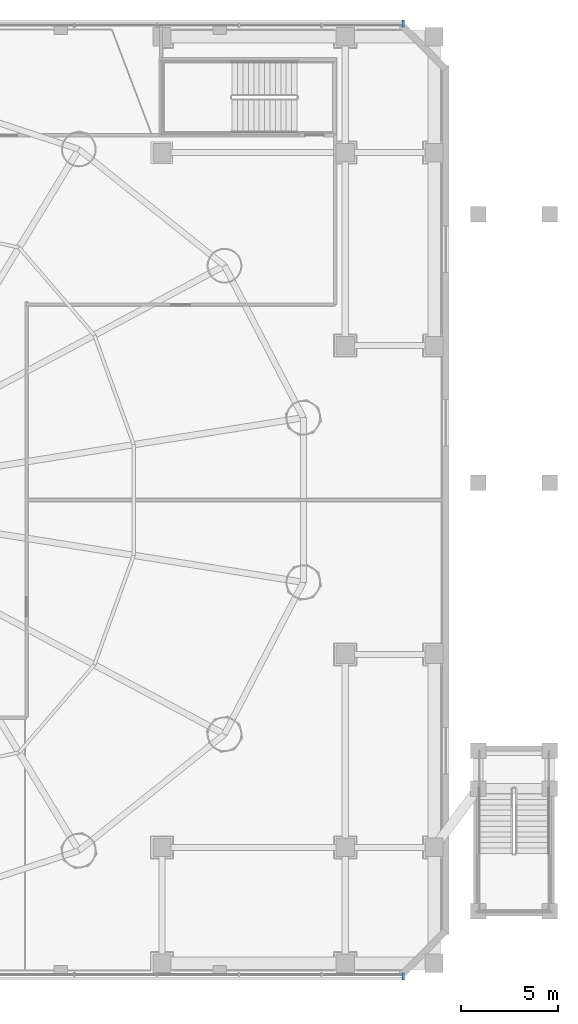
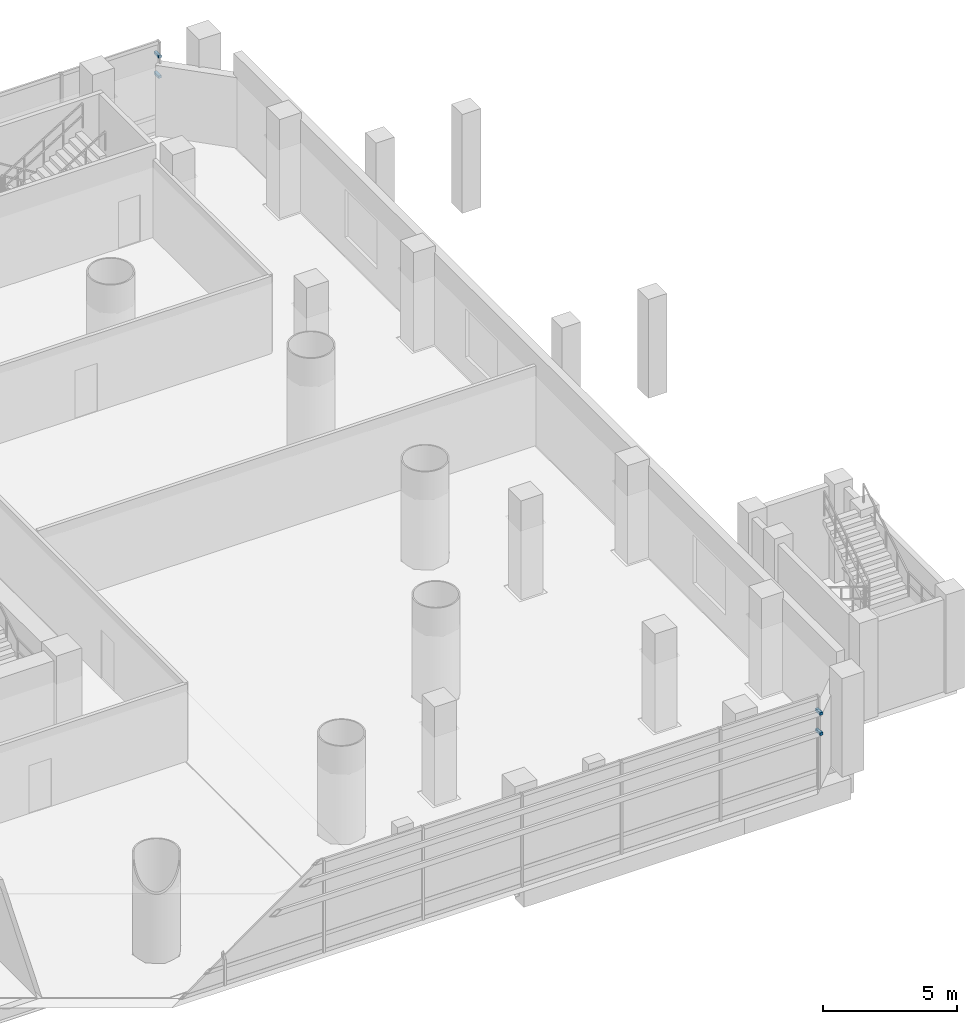
# One storey, part 26 of 36: 4 discrete accessories.
"""IFC4 building model written with IfcOpenShell, lengths in metres."""

from ifc_helpers import new_model, si_unit, direction, frame, origin, origin_2d, place, context, subcontext, project, spatial, rectangle, extrude, source, transform, mapped, material, layer, layer_set, type_object, element, save


model = new_model("IFC4")

# Units and contexts
model_context = context("Model", 3, precision=1e-05, world=origin(), true_north=direction((-0.2419218956, 0.970295726276)))
body_context = subcontext(model_context, "Body", "Model", "MODEL_VIEW")
ifc_project = project(units=[si_unit("LENGTHUNIT", "METRE"), si_unit("AREAUNIT", "SQUARE_METRE"), si_unit("VOLUMEUNIT", "CUBIC_METRE"), si_unit("PLANEANGLEUNIT", "RADIAN"), si_unit("MASSUNIT", "GRAM", prefix="KILO")], contexts=[model_context])

# Site, building, storey
site_placement = place(None, origin())
site = spatial("IfcSite", under=ifc_project, at=site_placement, CompositionType="ELEMENT")
building_placement = place(site_placement, origin())
building = spatial("IfcBuilding", under=site, at=building_placement, Name="Cobrevalo Terracotta Tower", CompositionType="ELEMENT")
storey_placement = place(building_placement, frame((0.0, 0.0, 9.89990234375)))
storey = spatial("IfcBuildingStorey", under=building, at=storey_placement, Name="L02", CompositionType="ELEMENT", Elevation=9.89990234375)

# Discrete accessories
ifc_material = material(Name="Brushed stainless steel", Category="steel")
ifc_layer = layer(ifc_material, 0.1201171875)
ifc_layer_set = layer_set([ifc_layer], Name="Brushed stainless steel")
discrete_accessory_type = type_object("IfcDiscreteAccessoryType", Name="Stainless Steel Facade & Canopy Support Bracket", PredefinedType="BRACKET", material=ifc_layer_set)
shared_shape = source(origin(), body_context, "Body", "SweptSolid", [
    extrude(rectangle(XDim=0.1201171875, YDim=0.360107421875, at=origin_2d()), origin(), (0.0, 0.0, 1.0), 0.1201171875),
])
for number, where, z_axis, x_axis, name in (
    (1, (70.010009765625, 2.110107421875, 2.5439453125), (0.0, 0.0, 1.0), (1.0, 0.0, 0.0), "CW-POD-L02-S stainless baguette support bracket 1-B"),
    (2, (70.010009765625, 2.110107421875, 3.468017578125), (0.0, 0.0, 1.0), (1.0, 0.0, 0.0), "CW-POD-L02-S stainless baguette support bracket 2-B"),
    (3, (70.010009765625, 51.489990234375, 2.5439453125), (0.0, 0.0, 1.0), (-1.0, 0.0, 0.0), "CW-POD-L02-N stainless baguette support bracket 1-A"),
    (4, (70.010009765625, 51.489990234375, 3.468017578125), (0.0, 0.0, 1.0), (-1.0, 0.0, 0.0), "CW-POD-L02-N stainless baguette support bracket 2-A"),
):
    element("IfcDiscreteAccessory", number, at=place(storey_placement, frame(where, z_axis=z_axis, x_axis=x_axis)), inside=storey, type_object=discrete_accessory_type, Name=name, PredefinedType="BRACKET", context=body_context, shape_type="MappedRepresentation", body=[
        mapped(shared_shape, transform((0.0, 0.0, 0.0), scale=1.0)),
    ])

save(model, "model.ifc")
